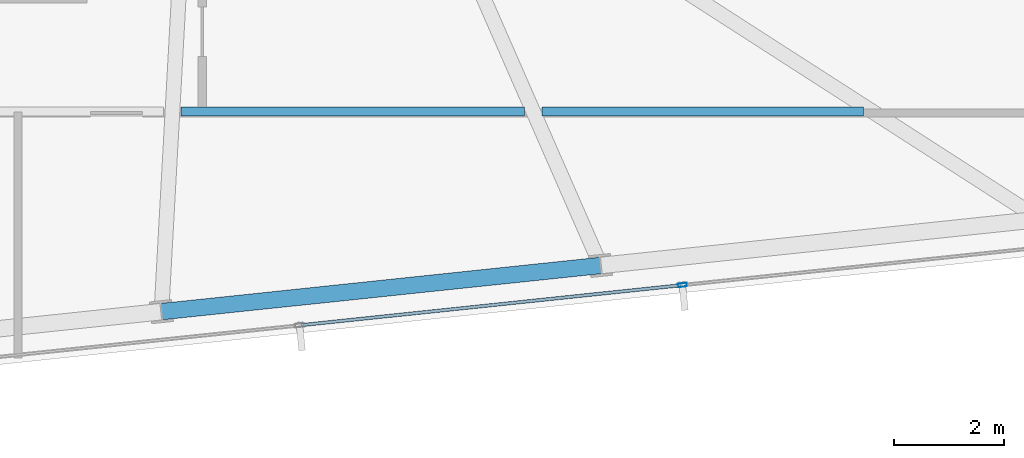
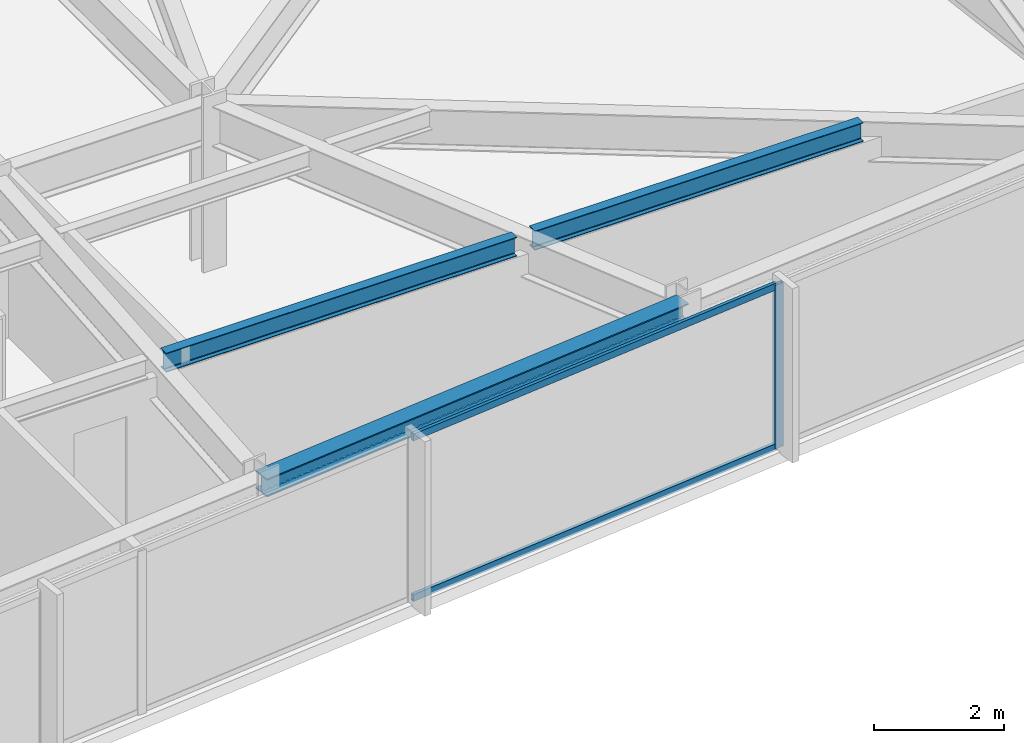
# One storey, part 15 of 32: 3 beams, 3 members, 1 element without a shape of its own.
"""IFC4 building model written with IfcOpenShell, lengths in metres."""

from ifc_helpers import new_model, si_unit, direction, frame, origin, origin_2d, place, context, subcontext, project, spatial, hollow_rectangle, i_section, extrude, material, material_profile, profile_set, type_object, element, aggregate, save


model = new_model("IFC4")

# Units and contexts
model_context = context("Model", 3, precision=1e-05, world=origin(), true_north=direction((0.0, 1.0)))
body_context = subcontext(model_context, "Body", "Model", "MODEL_VIEW")
ifc_project = project(units=[si_unit("LENGTHUNIT", "METRE"), si_unit("AREAUNIT", "SQUARE_METRE"), si_unit("VOLUMEUNIT", "CUBIC_METRE"), si_unit("PLANEANGLEUNIT", "RADIAN"), si_unit("MASSUNIT", "GRAM", prefix="KILO")], contexts=[model_context])

# Site, building, storey
site_placement = place(None, origin())
site = spatial("IfcSite", under=ifc_project, at=site_placement, CompositionType="ELEMENT")
building_placement = place(site_placement, origin())
building = spatial("IfcBuilding", under=site, at=building_placement, Name="Yelkora Congress Tower", CompositionType="ELEMENT")
storey_placement = place(building_placement, frame((0.0, 0.0, 217.699951171875)))
storey = spatial("IfcBuildingStorey", under=building, at=storey_placement, Name="L60", CompositionType="ELEMENT", Elevation=217.699951171875)

# Beams
ifc_material_1 = material(Name="Steel S355J2", Category="steel")
ifc_material_profile_1 = material_profile(ifc_material_1, i_section(OverallWidth=0.169921875, OverallDepth=0.360107421875, WebThickness=0.008056640625, FlangeThickness=0.0126953125, FilletRadius=0.01806640625, at=origin_2d()), Name="IPE 360")
ifc_profile_set_1 = profile_set([ifc_material_profile_1], Name="Steel S355J2")
beam_type_1 = type_object("IfcBeamType", Name="BM-JOIST-IPE360", PredefinedType="JOIST", material=ifc_profile_set_1)
beam_1_placement = place(storey_placement, frame((53.616455078125, 19.678466796875, 2.900146484375), z_axis=(1.0, 0.0, 0.0), x_axis=(0.0, 1.0, 0.0)))
element("IfcBeam", 1, at=beam_1_placement, inside=storey, type_object=beam_type_1, Name="L60 Composite Floor Joist 7", PredefinedType="JOIST", context=body_context, shape_type="SweptSolid", body=[
    extrude(i_section(OverallWidth=0.169921875, OverallDepth=0.360107421875, WebThickness=0.008056640625, FlangeThickness=0.0126953125, FilletRadius=0.01806640625, at=origin_2d()), origin(), (0.0, 0.0, 1.0), 6.2421875),
])
beam_2_placement = place(storey_placement, frame((60.1787109375, 19.678466796875, 2.900146484375), z_axis=(1.0, 0.0, 0.0), x_axis=(0.0, 1.0, 0.0)))
element("IfcBeam", 2, at=beam_2_placement, inside=storey, type_object=beam_type_1, Name="L60 Composite Floor Joist 8", PredefinedType="JOIST", context=body_context, shape_type="SweptSolid", body=[
    extrude(i_section(OverallWidth=0.169921875, OverallDepth=0.360107421875, WebThickness=0.008056640625, FlangeThickness=0.0126953125, FilletRadius=0.01806640625, at=origin_2d()), origin(), (0.0, 0.0, 1.0), 5.84619140625),
])
ifc_material_profile_2 = material_profile(ifc_material_1, i_section(OverallWidth=0.300048828125, OverallDepth=0.340087890625, WebThickness=0.011962890625, FlangeThickness=0.021484375, FilletRadius=0.027099609375, at=origin_2d()), Name="HEB 340")
ifc_profile_set_2 = profile_set([ifc_material_profile_2], Name="Steel S355J2")
beam_type_2 = type_object("IfcBeamType", Name="BM-SPAN-HEB340", PredefinedType="SPANDREL", material=ifc_profile_set_2)
beam_3_placement = place(storey_placement, frame((53.25634765625, 16.037353515625, 2.91015625), z_axis=(0.994520097542, 0.104545567032, 0.0), x_axis=(-0.104545567032, 0.994520097542, 0.0)))
element("IfcBeam", 3, at=beam_3_placement, inside=storey, type_object=beam_type_2, Name="L60 Perimeter Beam 7", PredefinedType="SPANDREL", context=body_context, shape_type="SweptSolid", body=[
    extrude(i_section(OverallWidth=0.300048828125, OverallDepth=0.340087890625, WebThickness=0.011962890625, FlangeThickness=0.021484375, FilletRadius=0.027099609375, at=origin_2d()), origin(), (0.0, 0.0, 1.0), 8.033203125),
])

# Curtain wall, members
ifc_material_2 = material(Name="Anodised aluminium and insulated glass", Category="aluminium")
curtain_wall_type = type_object("IfcCurtainWallType", Name="CW-SYS-B4", PredefinedType="NOTDEFINED", material=ifc_material_2)
curtain_wall_placement = place(storey_placement, origin())
curtain_wall = element("IfcCurtainWall", 4, at=curtain_wall_placement, inside=storey, type_object=curtain_wall_type, Name="L60 Unitised Curtain Wall 20", PredefinedType="NOTDEFINED")
ifc_material_3 = material(Name="Anodised aluminium 6063-T6", Category="aluminium")
ifc_material_profile_3 = material_profile(ifc_material_3, hollow_rectangle(XDim=0.06494140625, YDim=0.159912109375, WallThickness=0.00390625, at=origin_2d()), Name="ALU 65x160x4")
ifc_profile_set_3 = profile_set([ifc_material_profile_3], Name="Anodised aluminium 6063-T6")
member_type_1 = type_object("IfcMemberType", Name="MEM-ML-B4", PredefinedType="MULLION", material=ifc_profile_set_3)
member_1_placement = place(storey_placement, frame((62.731689453125, 16.5205078125, 0.0), z_axis=(0.0, 0.0, 1.0), x_axis=(0.104526664994, -0.994522084373, 0.0)))
member_1 = element("IfcMember", 5, at=member_1_placement, type_object=member_type_1, Name="CW-B4 mullion 2", PredefinedType="MULLION", context=body_context, shape_type="SweptSolid", body=[
    extrude(hollow_rectangle(XDim=0.06494140625, YDim=0.159912109375, WallThickness=0.00390625, at=origin_2d()), origin(), (0.0, 0.0, 1.0), 3.080078125),
])
ifc_material_profile_4 = material_profile(ifc_material_3, hollow_rectangle(XDim=0.06005859375, YDim=0.1298828125, WallThickness=0.00390625, at=origin_2d()), Name="ALU 60x130x4")
ifc_profile_set_4 = profile_set([ifc_material_profile_4], Name="Anodised aluminium 6063-T6")
member_type_2 = type_object("IfcMemberType", Name="MEM-TR-B4", PredefinedType="USERDEFINED", material=ifc_profile_set_4)
member_2_placement = place(storey_placement, frame((62.69921875, 16.51708984375, 0.030029296875), z_axis=(-0.994519904787, -0.104547400648, 0.0), x_axis=(0.104547400648, -0.994519904787, 0.0)))
member_2 = element("IfcMember", 6, at=member_2_placement, type_object=member_type_2, Name="CW-B4 transom 2.1", ObjectType="TRANSOM", PredefinedType="USERDEFINED", context=body_context, shape_type="SweptSolid", body=[
    extrude(hollow_rectangle(XDim=0.06005859375, YDim=0.1298828125, WallThickness=0.00390625, at=origin_2d()), origin(), (0.0, 0.0, 1.0), 6.93798828125),
])
member_3_placement = place(storey_placement, frame((62.69921875, 16.51708984375, 3.050048828125), z_axis=(-0.994519904787, -0.104547400648, 0.0), x_axis=(0.104547400648, -0.994519904787, 0.0)))
member_3 = element("IfcMember", 7, at=member_3_placement, type_object=member_type_2, Name="CW-B4 transom 2.2", ObjectType="TRANSOM", PredefinedType="USERDEFINED", context=body_context, shape_type="SweptSolid", body=[
    extrude(hollow_rectangle(XDim=0.06005859375, YDim=0.1298828125, WallThickness=0.00390625, at=origin_2d()), origin(), (0.0, 0.0, 1.0), 6.93798828125),
])
aggregate(curtain_wall, [member_1, member_2, member_3])

save(model, "model.ifc")
